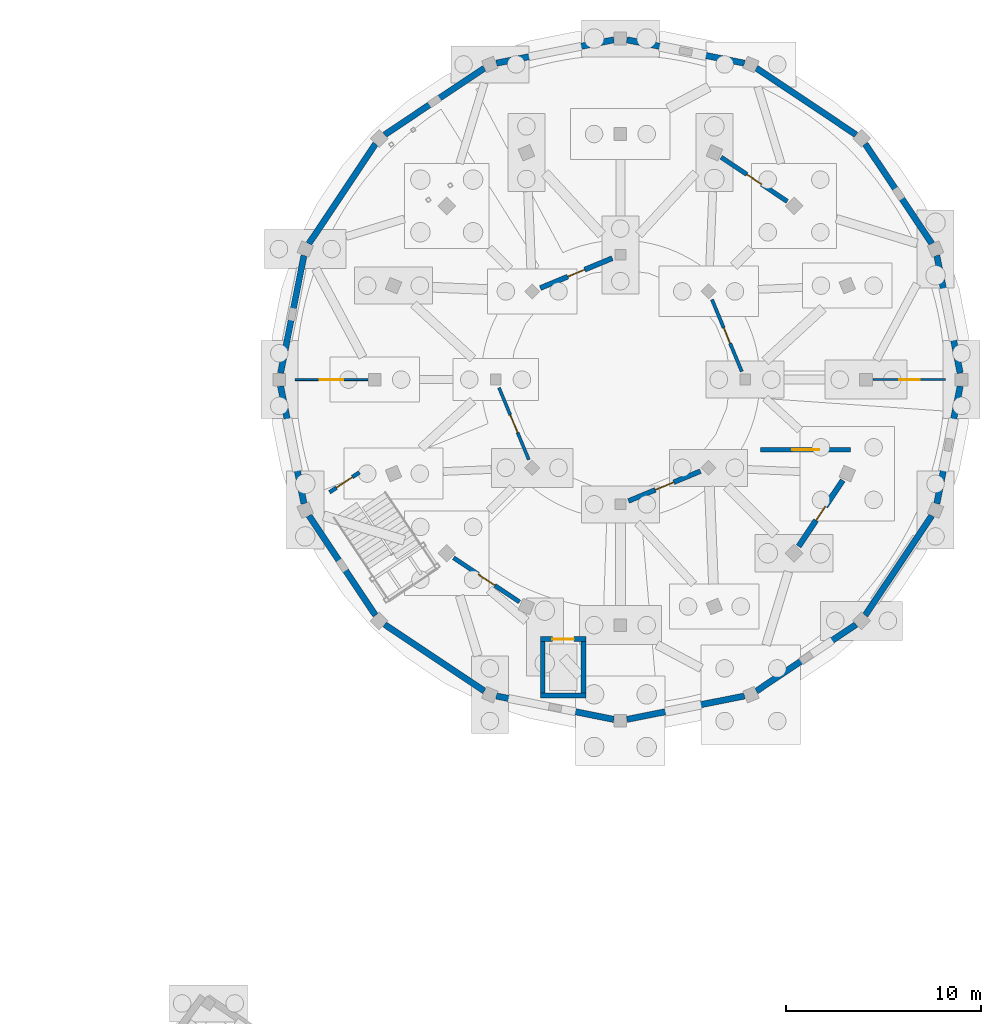
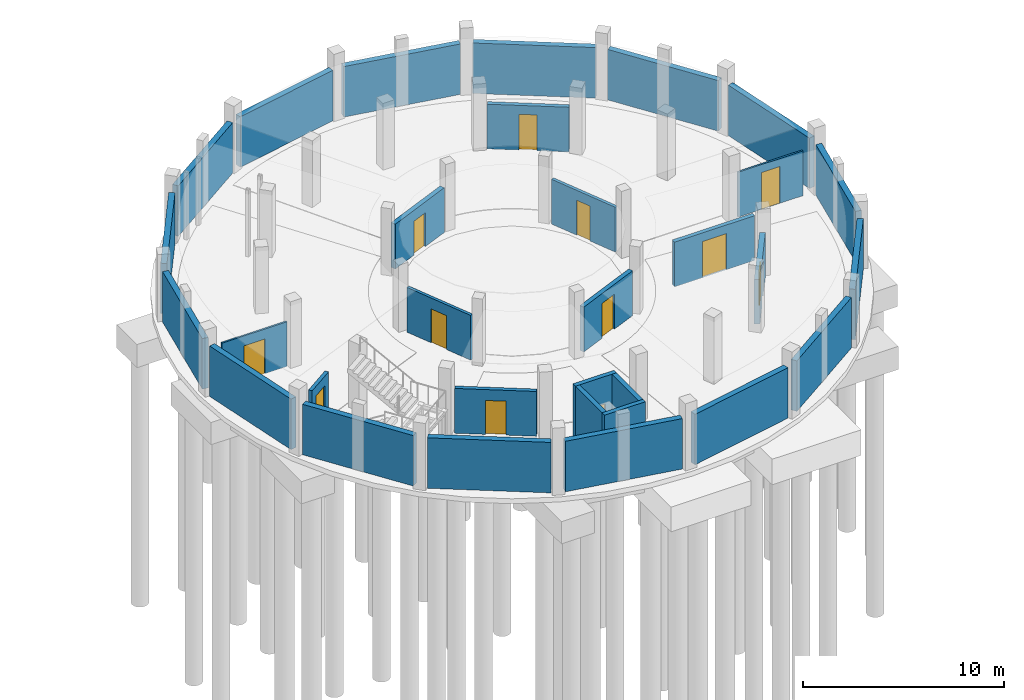
# One storey, part 46 of 58: 31 walls, 12 doors, 12 openings.
"""IFC4 building model written with IfcOpenShell, lengths in metres."""

from ifc_helpers import new_model, si_unit, direction, frame, frame_2d, origin, place, context, subcontext, project, spatial, rectangle, extrude, material, layer, layer_set, type_object, element, fill, save


model = new_model("IFC4")

# Units and contexts
model_context = context("Model", 3, precision=1e-05, world=origin(), true_north=direction((0.0, 1.0)))
body_context = subcontext(model_context, "Body", "Model", "MODEL_VIEW")
ifc_project = project(units=[si_unit("LENGTHUNIT", "METRE"), si_unit("AREAUNIT", "SQUARE_METRE"), si_unit("VOLUMEUNIT", "CUBIC_METRE"), si_unit("PLANEANGLEUNIT", "RADIAN"), si_unit("MASSUNIT", "GRAM", prefix="KILO")], contexts=[model_context])

# Site, building, storey
site_placement = place(None, origin())
site = spatial("IfcSite", under=ifc_project, at=site_placement, CompositionType="ELEMENT")
building_placement = place(site_placement, origin())
building = spatial("IfcBuilding", under=site, at=building_placement, Name="Caldaven Crescent School", CompositionType="ELEMENT")
storey_placement = place(building_placement, frame((0.0, 0.0, -4.080078125)))
storey = spatial("IfcBuildingStorey", under=building, at=storey_placement, Name="B1", CompositionType="ELEMENT", Elevation=-4.080078125)

# Wall, opening, door
ifc_material_1 = material(Name="Concrete C35/45", Category="concrete")
ifc_layer_1 = layer(ifc_material_1, 0.300048828125)
ifc_layer_set_1 = layer_set([ifc_layer_1], Name="Concrete C35/45")
wall_type_1 = type_object("IfcWallType", Name="WAL-CW1", PredefinedType="SHEAR", material=ifc_layer_set_1)
wall_1_placement = place(storey_placement, frame((148.388916015625, 85.189208984375, 0.0), z_axis=(0.0, 0.0, 1.0), x_axis=(1.0, 0.0, 0.0)))
wall_1 = element("IfcWall", 1, at=wall_1_placement, inside=storey, type_object=wall_type_1, Name="CW-LF1-B1-N", PredefinedType="SHEAR", context=body_context, shape_type="SweptSolid", body=[
    extrude(rectangle(XDim=2.349853515625, YDim=0.25, at=frame_2d((1.1748046875, 0.0))), origin(), (0.0, 0.0, 1.0), 3.820068359375),
])
opening_1_placement = place(wall_1_placement, frame((0.625, 0.0, 0.0)))
opening_1 = element("IfcOpeningElement", 2, at=opening_1_placement, cuts=wall_1, Name="Opening LD-LF1-B1", PredefinedType="OPENING", context=body_context, shape_type="SweptSolid", body=[
    extrude(rectangle(XDim=1.10009765625, YDim=2.14990234375, at=frame_2d((0.550048828125, 1.074951171875))), frame((0.0, 0.135009765625, 0.0), z_axis=(0.0, -1.0, 0.0), x_axis=(1.0, 0.0, 0.0)), (0.0, 0.0, 1.0), 0.27001953125),
])
ifc_material_2 = material(Name="Brushed stainless-steel automatic telescopic landing door", Category="steel")
door_type_1 = type_object("IfcDoorType", Name="DOR-LD01", OperationType="DOUBLE_DOOR_SLIDING", PredefinedType="DOOR", material=ifc_material_2)
door_1_placement = place(opening_1_placement, origin())
door_1 = element("IfcDoor", 3, at=door_1_placement, inside=storey, type_object=door_type_1, Name="DOR-LD-LF1-B1", OperationType="DOUBLE_DOOR_SLIDING", OverallHeight=2.14990234375, OverallWidth=1.10009765625, PredefinedType="DOOR", context=body_context, shape_type="SweptSolid", body=[
    extrude(rectangle(XDim=1.10009765625, YDim=2.14990234375, at=frame_2d((0.550048828125, 1.074951171875))), frame((0.0, 0.02490234375, 0.0), z_axis=(0.0, -1.0, 0.0), x_axis=(1.0, 0.0, 0.0)), (0.0, 0.0, 1.0), 0.050048828125),
])
fill(opening_1, door_1)

# Walls
wall_2_placement = place(storey_placement, frame((148.388916015625, 82.2890625, 0.0), z_axis=(0.0, 0.0, 1.0), x_axis=(1.0, 0.0, 0.0)))
element("IfcWall", 4, at=wall_2_placement, inside=storey, type_object=wall_type_1, Name="CW-LF1-B1-S", PredefinedType="SHEAR", context=body_context, shape_type="SweptSolid", body=[
    extrude(rectangle(XDim=2.349853515625, YDim=0.25, at=frame_2d((1.1748046875, 0.0))), origin(), (0.0, 0.0, 1.0), 3.820068359375),
])
ifc_layer_2 = layer(ifc_material_1, 0.25)
ifc_layer_set_2 = layer_set([ifc_layer_2], Name="Concrete C35/45")
wall_type_2 = type_object("IfcWallType", Name="WAL-CW2", PredefinedType="SHEAR", material=ifc_layer_set_2)
for number, where, z_axis, x_axis, name in (
    (5, (148.513916015625, 82.4140625, 0.0), (0.0, 0.0, 1.0), (0.0, 1.0, 0.0), "CW-LF1-B1-W"),
    (6, (150.61376953125, 82.4140625, 0.0), (0.0, 0.0, 1.0), (0.0, 1.0, 0.0), "CW-LF1-B1-E"),
):
    element("IfcWall", number, at=place(storey_placement, frame(where, z_axis=z_axis, x_axis=x_axis)), inside=storey, type_object=wall_type_2, Name=name, PredefinedType="SHEAR", context=body_context, shape_type="SweptSolid", body=[
        extrude(rectangle(XDim=2.650146484375, YDim=0.25, at=frame_2d((1.3251953125, 0.0))), origin(), (0.0, 0.0, 1.0), 3.820068359375),
    ])

# Wall, opening, door
ifc_material_3 = material(Name="Acoustic timber-stud and fire-rated gypsum board assembly", Category="wood")
ifc_layer_3 = layer(ifc_material_3, 0.159912109375)
ifc_layer_set_3 = layer_set([ifc_layer_3], Name="Acoustic timber-stud and fire-rated gypsum board assembly")
wall_type_3 = type_object("IfcWallType", Name="WAL-IW01", PredefinedType="STANDARD", material=ifc_layer_set_3)
wall_3_placement = place(storey_placement, frame((146.272216796875, 98.084228515625, 0.0), z_axis=(0.0, 0.0, 1.0), x_axis=(0.382680763867, -0.923880637835, 0.0)))
wall_3 = element("IfcWall", 7, at=wall_3_placement, inside=storey, type_object=wall_type_3, Name="IW-B1-0016", PredefinedType="STANDARD", context=body_context, shape_type="SweptSolid", body=[
    extrude(rectangle(XDim=3.998291015625, YDim=0.159912109375, at=frame_2d((1.9990234375, 0.0))), origin(), (0.0, 0.0, 1.0), 2.719970703125),
])
opening_2_placement = place(wall_3_placement, frame((1.50927734375, 0.0, 0.0)))
opening_2 = element("IfcOpeningElement", 8, at=opening_2_placement, cuts=wall_3, Name="Opening D-B1-I012", PredefinedType="OPENING", context=body_context, shape_type="SweptSolid", body=[
    extrude(rectangle(XDim=0.97998046875, YDim=2.06005859375, at=frame_2d((0.489990234375, 1.030029296875))), frame((0.0, 0.08984375, 0.0), z_axis=(0.0, -1.0, 0.0), x_axis=(1.0, 0.0, 0.0)), (0.0, 0.0, 1.0), 0.179931640625),
])
ifc_material_4 = material(Name="Solid-core Pino Radiata acoustic timber leaf in steel frame", Category="steel")
door_type_2 = type_object("IfcDoorType", Name="DOR-ID13", OperationType="NOTDEFINED", PredefinedType="DOOR", material=ifc_material_4)
door_2_placement = place(opening_2_placement, frame((0.97998046875, 0.0, 0.0), z_axis=(0.0, 0.0, 1.0), x_axis=(-1.0, 0.0, 0.0)))
door_2 = element("IfcDoor", 9, at=door_2_placement, inside=storey, type_object=door_type_2, Name="DOR-INT-B1-0012", OperationType="SINGLE_SWING_LEFT", OverallHeight=2.06005859375, OverallWidth=0.97998046875, PredefinedType="DOOR", context=body_context, shape_type="SweptSolid", body=[
    extrude(rectangle(XDim=0.97998046875, YDim=2.06005859375, at=frame_2d((0.489990234375, 1.030029296875))), frame((0.0, 0.02490234375, 0.0), z_axis=(0.0, -1.0, 0.0), x_axis=(1.0, 0.0, 0.0)), (0.0, 0.0, 1.0), 0.050048828125),
])
fill(opening_2, door_2)

ifc_layer_4 = layer(ifc_material_3, 0.169921875)
ifc_layer_set_4 = layer_set([ifc_layer_4], Name="Acoustic timber-stud and fire-rated gypsum board assembly")
wall_type_4 = type_object("IfcWallType", Name="WAL-IW02", PredefinedType="STANDARD", material=ifc_layer_set_4)
wall_4_placement = place(storey_placement, frame((158.727783203125, 98.915771484375, 0.0), z_axis=(0.0, 0.0, 1.0), x_axis=(-0.382680763867, 0.923880637835, 0.0)))
wall_4 = element("IfcWall", 10, at=wall_4_placement, inside=storey, type_object=wall_type_4, Name="IW-B1-0001", PredefinedType="STANDARD", context=body_context, shape_type="SweptSolid", body=[
    extrude(rectangle(XDim=3.998291015625, YDim=0.169921875, at=frame_2d((1.9990234375, 0.0))), origin(), (0.0, 0.0, 1.0), 2.719970703125),
])
opening_3_placement = place(wall_4_placement, frame((1.569091796875, 0.0, 0.0)))
opening_3 = element("IfcOpeningElement", 11, at=opening_3_placement, cuts=wall_4, Name="Opening D-B1-I001", PredefinedType="OPENING", context=body_context, shape_type="SweptSolid", body=[
    extrude(rectangle(XDim=0.860107421875, YDim=2.1201171875, at=frame_2d((0.43017578125, 1.06005859375))), frame((0.0, 0.094970703125, 0.0), z_axis=(0.0, -1.0, 0.0), x_axis=(1.0, 0.0, 0.0)), (0.0, 0.0, 1.0), 0.18994140625),
])
door_type_3 = type_object("IfcDoorType", Name="DOR-ID02", OperationType="NOTDEFINED", PredefinedType="DOOR", material=ifc_material_4)
door_3_placement = place(opening_3_placement, frame((0.860107421875, 0.0, 0.0), z_axis=(0.0, 0.0, 1.0), x_axis=(-1.0, 0.0, 0.0)))
door_3 = element("IfcDoor", 12, at=door_3_placement, inside=storey, type_object=door_type_3, Name="DOR-INT-B1-0001", OperationType="SINGLE_SWING_RIGHT", OverallHeight=2.1201171875, OverallWidth=0.860107421875, PredefinedType="DOOR", context=body_context, shape_type="SweptSolid", body=[
    extrude(rectangle(XDim=0.860107421875, YDim=2.1201171875, at=frame_2d((0.43017578125, 1.06005859375))), frame((0.0, 0.02490234375, 0.0), z_axis=(0.0, -1.0, 0.0), x_axis=(1.0, 0.0, 0.0)), (0.0, 0.0, 1.0), 0.050048828125),
])
fill(opening_3, door_3)

ifc_layer_5 = layer(ifc_material_3, 0.199951171875)
ifc_layer_set_5 = layer_set([ifc_layer_5], Name="Acoustic timber-stud and fire-rated gypsum board assembly")
wall_type_5 = type_object("IfcWallType", Name="WAL-IW05", PredefinedType="STANDARD", material=ifc_layer_set_5)
wall_5_placement = place(storey_placement, frame((137.5791015625, 92.715576171875, 0.0), z_axis=(0.0, 0.0, 1.0), x_axis=(0.831457803064, 0.555587906388, 0.0)))
wall_5 = element("IfcWall", 13, at=wall_5_placement, inside=storey, type_object=wall_type_5, Name="IW-ST-STB5-B1", PredefinedType="STANDARD", context=body_context, shape_type="SweptSolid", body=[
    extrude(rectangle(XDim=1.83984375, YDim=0.199951171875, at=frame_2d((0.919921875, 0.0))), origin(), (0.0, 0.0, 1.0), 2.719970703125),
])
opening_4_placement = place(wall_5_placement, frame((0.429931640625, 0.0, 0.0)))
opening_4 = element("IfcOpeningElement", 14, at=opening_4_placement, cuts=wall_5, Name="Opening FD-STB5-B1", PredefinedType="OPENING", context=body_context, shape_type="SweptSolid", body=[
    extrude(rectangle(XDim=0.97998046875, YDim=2.139892578125, at=frame_2d((0.489990234375, 1.06982421875))), frame((0.0, 0.10986328125, 0.0), z_axis=(0.0, -1.0, 0.0), x_axis=(1.0, 0.0, 0.0)), (0.0, 0.0, 1.0), 0.219970703125),
])
ifc_material_5 = material(Name="Acoustic fire-rated steel-framed hardwood leaf", Category="steel")
door_type_4 = type_object("IfcDoorType", Name="DOR-FD02", OperationType="NOTDEFINED", PredefinedType="DOOR", material=ifc_material_5)
door_4_placement = place(opening_4_placement, frame((0.97998046875, 0.0, 0.0), z_axis=(0.0, 0.0, 1.0), x_axis=(-1.0, 0.0, 0.0)))
door_4 = element("IfcDoor", 15, at=door_4_placement, inside=storey, type_object=door_type_4, Name="DOR-ST-STB5-B1", OperationType="SINGLE_SWING_RIGHT", OverallHeight=2.139892578125, OverallWidth=0.97998046875, PredefinedType="DOOR", context=body_context, shape_type="SweptSolid", body=[
    extrude(rectangle(XDim=0.97998046875, YDim=2.139892578125, at=frame_2d((0.489990234375, 1.06982421875))), frame((0.0, 0.02490234375, 0.0), z_axis=(0.0, -1.0, 0.0), x_axis=(1.0, 0.0, 0.0)), (0.0, 0.0, 1.0), 0.050048828125),
])
fill(opening_4, door_4)

ifc_layer_6 = layer(ifc_material_3, 0.219970703125)
ifc_layer_set_6 = layer_set([ifc_layer_6], Name="Acoustic timber-stud and fire-rated gypsum board assembly")
wall_type_6 = type_object("IfcWallType", Name="WAL-IW07", PredefinedType="STANDARD", material=ifc_layer_set_6)
wall_6_placement = place(storey_placement, frame((143.939697265625, 89.357177734375, 0.0), z_axis=(0.0, 0.0, 1.0), x_axis=(0.831460090349, -0.555584483365, 0.0)))
wall_6 = element("IfcWall", 16, at=wall_6_placement, inside=storey, type_object=wall_type_6, Name="IW-B1-0022", PredefinedType="STANDARD", context=body_context, shape_type="SweptSolid", body=[
    extrude(rectangle(XDim=4.076171875, YDim=0.219970703125, at=frame_2d((2.0380859375, 0.0))), origin(), (0.0, 0.0, 1.0), 2.719970703125),
])
opening_5_placement = place(wall_6_placement, frame((1.528076171875, 0.0, 0.0)))
opening_5 = element("IfcOpeningElement", 17, at=opening_5_placement, cuts=wall_6, Name="Opening D-B1-I016", PredefinedType="OPENING", context=body_context, shape_type="SweptSolid", body=[
    extrude(rectangle(XDim=1.02001953125, YDim=2.06005859375, at=frame_2d((0.510009765625, 1.030029296875))), frame((0.0, 0.119873046875, 0.0), z_axis=(0.0, -1.0, 0.0), x_axis=(1.0, 0.0, 0.0)), (0.0, 0.0, 1.0), 0.239990234375),
])
door_type_5 = type_object("IfcDoorType", Name="DOR-ID17", OperationType="NOTDEFINED", PredefinedType="DOOR", material=ifc_material_4)
door_5_placement = place(opening_5_placement, frame((1.02001953125, 0.0, 0.0), z_axis=(0.0, 0.0, 1.0), x_axis=(-1.0, 0.0, 0.0)))
door_5 = element("IfcDoor", 18, at=door_5_placement, inside=storey, type_object=door_type_5, Name="DOR-INT-B1-0016", OperationType="SINGLE_SWING_LEFT", OverallHeight=2.06005859375, OverallWidth=1.02001953125, PredefinedType="DOOR", context=body_context, shape_type="SweptSolid", body=[
    extrude(rectangle(XDim=1.02001953125, YDim=2.06005859375, at=frame_2d((0.510009765625, 1.030029296875))), frame((0.0, 0.02490234375, 0.0), z_axis=(0.0, -1.0, 0.0), x_axis=(1.0, 0.0, 0.0)), (0.0, 0.0, 1.0), 0.050048828125),
])
fill(opening_5, door_5)

ifc_layer_7 = layer(ifc_material_3, 0.22998046875)
ifc_layer_set_7 = layer_set([ifc_layer_7], Name="Acoustic timber-stud and fire-rated gypsum board assembly")
wall_type_7 = type_object("IfcWallType", Name="WAL-IW08", PredefinedType="STANDARD", material=ifc_layer_set_7)
wall_7_placement = place(storey_placement, frame((161.060302734375, 107.642822265625, 0.0), z_axis=(0.0, 0.0, 1.0), x_axis=(-0.831460090349, 0.555584483365, 0.0)))
wall_7 = element("IfcWall", 19, at=wall_7_placement, inside=storey, type_object=wall_type_7, Name="IW-B1-0007", PredefinedType="STANDARD", context=body_context, shape_type="SweptSolid", body=[
    extrude(rectangle(XDim=4.076171875, YDim=0.22998046875, at=frame_2d((2.0380859375, 0.0))), origin(), (0.0, 0.0, 1.0), 2.719970703125),
])
opening_6_placement = place(wall_7_placement, frame((1.588134765625, 0.0, 0.0)))
opening_6 = element("IfcOpeningElement", 20, at=opening_6_placement, cuts=wall_7, Name="Opening D-B1-I006", PredefinedType="OPENING", context=body_context, shape_type="SweptSolid", body=[
    extrude(rectangle(XDim=0.89990234375, YDim=2.179931640625, at=frame_2d((0.449951171875, 1.08984375))), frame((0.0, 0.125, 0.0), z_axis=(0.0, -1.0, 0.0), x_axis=(1.0, 0.0, 0.0)), (0.0, 0.0, 1.0), 0.25),
])
door_type_6 = type_object("IfcDoorType", Name="DOR-ID07", OperationType="NOTDEFINED", PredefinedType="DOOR", material=ifc_material_4)
door_6_placement = place(opening_6_placement, frame((0.89990234375, 0.0, 0.0), z_axis=(0.0, 0.0, 1.0), x_axis=(-1.0, 0.0, 0.0)))
door_6 = element("IfcDoor", 21, at=door_6_placement, inside=storey, type_object=door_type_6, Name="DOR-INT-B1-0006", OperationType="SINGLE_SWING_LEFT", OverallHeight=2.179931640625, OverallWidth=0.89990234375, PredefinedType="DOOR", context=body_context, shape_type="SweptSolid", body=[
    extrude(rectangle(XDim=0.89990234375, YDim=2.179931640625, at=frame_2d((0.449951171875, 1.08984375))), frame((0.0, 0.02490234375, 0.0), z_axis=(0.0, -1.0, 0.0), x_axis=(1.0, 0.0, 0.0)), (0.0, 0.0, 1.0), 0.050048828125),
])
fill(opening_6, door_6)

wall_8_placement = place(storey_placement, frame((159.699951171875, 94.89990234375, 0.0), z_axis=(0.0, 0.0, 1.0), x_axis=(1.0, 0.0, 0.0)))
wall_8 = element("IfcWall", 22, at=wall_8_placement, inside=storey, type_object=wall_type_7, Name="IW-FD-08", PredefinedType="STANDARD", context=body_context, shape_type="SweptSolid", body=[
    extrude(rectangle(XDim=4.60009765625, YDim=0.22998046875, at=frame_2d((2.300048828125, 0.0))), origin(), (0.0, 0.0, 1.0), 2.719970703125),
])
opening_7_placement = place(wall_8_placement, frame((1.610107421875, 0.0, 0.0)))
opening_7 = element("IfcOpeningElement", 23, at=opening_7_placement, cuts=wall_8, Name="Opening FD-X08", PredefinedType="OPENING", context=body_context, shape_type="SweptSolid", body=[
    extrude(rectangle(XDim=1.3798828125, YDim=2.199951171875, at=frame_2d((0.68994140625, 1.10009765625))), frame((0.0, 0.125, 0.0), z_axis=(0.0, -1.0, 0.0), x_axis=(1.0, 0.0, 0.0)), (0.0, 0.0, 1.0), 0.25),
])
door_type_7 = type_object("IfcDoorType", Name="DOR-FD08", OperationType="NOTDEFINED", PredefinedType="DOOR", material=ifc_material_5)
door_7_placement = place(opening_7_placement, origin())
door_7 = element("IfcDoor", 24, at=door_7_placement, inside=storey, type_object=door_type_7, Name="DOR-FD-EXTRA-08", OperationType="DOUBLE_DOOR_SINGLE_SWING", OverallHeight=2.199951171875, OverallWidth=1.3798828125, PredefinedType="DOOR", context=body_context, shape_type="SweptSolid", body=[
    extrude(rectangle(XDim=1.3798828125, YDim=2.199951171875, at=frame_2d((0.68994140625, 1.10009765625))), frame((0.0, 0.02490234375, 0.0), z_axis=(0.0, -1.0, 0.0), x_axis=(1.0, 0.0, 0.0)), (0.0, 0.0, 1.0), 0.050048828125),
])
fill(opening_7, door_7)

ifc_layer_8 = layer(ifc_material_3, 0.25)
ifc_layer_set_8 = layer_set([ifc_layer_8], Name="Acoustic timber-stud and fire-rated gypsum board assembly")
wall_type_8 = type_object("IfcWallType", Name="WAL-IW10", PredefinedType="STANDARD", material=ifc_layer_set_8)
wall_9_placement = place(storey_placement, frame((152.915771484375, 92.272216796875, 0.0), z_axis=(0.0, 0.0, 1.0), x_axis=(0.923880637835, 0.382680763867, 0.0)))
wall_9 = element("IfcWall", 25, at=wall_9_placement, inside=storey, type_object=wall_type_8, Name="IW-B1-0025", PredefinedType="STANDARD", context=body_context, shape_type="SweptSolid", body=[
    extrude(rectangle(XDim=3.998291015625, YDim=0.25, at=frame_2d((1.9990234375, 0.0))), origin(), (0.0, 0.0, 1.0), 2.719970703125),
])
opening_8_placement = place(wall_9_placement, frame((1.4892578125, 0.0, 0.0)))
opening_8 = element("IfcOpeningElement", 26, at=opening_8_placement, cuts=wall_9, Name="Opening D-B1-I017", PredefinedType="OPENING", context=body_context, shape_type="SweptSolid", body=[
    extrude(rectangle(XDim=1.02001953125, YDim=2.1201171875, at=frame_2d((0.510009765625, 1.06005859375))), frame((0.0, 0.135009765625, 0.0), z_axis=(0.0, -1.0, 0.0), x_axis=(1.0, 0.0, 0.0)), (0.0, 0.0, 1.0), 0.27001953125),
])
door_type_8 = type_object("IfcDoorType", Name="DOR-ID18", OperationType="NOTDEFINED", PredefinedType="DOOR", material=ifc_material_4)
door_8_placement = place(opening_8_placement, frame((1.02001953125, 0.0, 0.0), z_axis=(0.0, 0.0, 1.0), x_axis=(-1.0, 0.0, 0.0)))
door_8 = element("IfcDoor", 27, at=door_8_placement, inside=storey, type_object=door_type_8, Name="DOR-INT-B1-0017", OperationType="SINGLE_SWING_RIGHT", OverallHeight=2.1201171875, OverallWidth=1.02001953125, PredefinedType="DOOR", context=body_context, shape_type="SweptSolid", body=[
    extrude(rectangle(XDim=1.02001953125, YDim=2.1201171875, at=frame_2d((0.510009765625, 1.06005859375))), frame((0.0, 0.02490234375, 0.0), z_axis=(0.0, -1.0, 0.0), x_axis=(1.0, 0.0, 0.0)), (0.0, 0.0, 1.0), 0.050048828125),
])
fill(opening_8, door_8)

ifc_layer_9 = layer(ifc_material_3, 0.260009765625)
ifc_layer_set_9 = layer_set([ifc_layer_9], Name="Acoustic timber-stud and fire-rated gypsum board assembly")
wall_type_9 = type_object("IfcWallType", Name="WAL-IW11", PredefinedType="STANDARD", material=ifc_layer_set_9)
wall_10_placement = place(storey_placement, frame((152.084228515625, 104.727783203125, 0.0), z_axis=(0.0, 0.0, 1.0), x_axis=(-0.923880637835, -0.382680763867, 0.0)))
wall_10 = element("IfcWall", 28, at=wall_10_placement, inside=storey, type_object=wall_type_9, Name="IW-B1-0010", PredefinedType="STANDARD", context=body_context, shape_type="SweptSolid", body=[
    extrude(rectangle(XDim=3.998291015625, YDim=0.260009765625, at=frame_2d((1.9990234375, 0.0))), origin(), (0.0, 0.0, 1.0), 2.719970703125),
])
opening_9_placement = place(wall_10_placement, frame((1.529296875, 0.0, 0.0)))
opening_9 = element("IfcOpeningElement", 29, at=opening_9_placement, cuts=wall_10, Name="Opening D-B1-I008", PredefinedType="OPENING", context=body_context, shape_type="SweptSolid", body=[
    extrude(rectangle(XDim=0.93994140625, YDim=2.06005859375, at=frame_2d((0.469970703125, 1.030029296875))), frame((0.0, 0.139892578125, 0.0), z_axis=(0.0, -1.0, 0.0), x_axis=(1.0, 0.0, 0.0)), (0.0, 0.0, 1.0), 0.280029296875),
])
door_type_9 = type_object("IfcDoorType", Name="DOR-ID09", OperationType="NOTDEFINED", PredefinedType="DOOR", material=ifc_material_4)
door_9_placement = place(opening_9_placement, frame((0.93994140625, 0.0, 0.0), z_axis=(0.0, 0.0, 1.0), x_axis=(-1.0, 0.0, 0.0)))
door_9 = element("IfcDoor", 30, at=door_9_placement, inside=storey, type_object=door_type_9, Name="DOR-INT-B1-0008", OperationType="SINGLE_SWING_LEFT", OverallHeight=2.06005859375, OverallWidth=0.93994140625, PredefinedType="DOOR", context=body_context, shape_type="SweptSolid", body=[
    extrude(rectangle(XDim=0.93994140625, YDim=2.06005859375, at=frame_2d((0.469970703125, 1.030029296875))), frame((0.0, 0.02490234375, 0.0), z_axis=(0.0, -1.0, 0.0), x_axis=(1.0, 0.0, 0.0)), (0.0, 0.0, 1.0), 0.050048828125),
])
fill(opening_9, door_9)

ifc_material_6 = material(Name="Autoclaved aerated concrete block masonry G5", Category="masonry")
ifc_layer_10 = layer(ifc_material_6, 0.2900390625)
ifc_layer_set_10 = layer_set([ifc_layer_10], Name="Autoclaved aerated concrete block masonry G5")
wall_type_10 = type_object("IfcWallType", Name="WAL-IW14", PredefinedType="STANDARD", material=ifc_layer_set_10)
wall_11_placement = place(storey_placement, frame((161.642822265625, 89.939697265625, 0.0), z_axis=(0.0, 0.0, 1.0), x_axis=(0.555584483365, 0.831460090349, 0.0)))
wall_11 = element("IfcWall", 31, at=wall_11_placement, inside=storey, type_object=wall_type_10, Name="IW-B1-0029", PredefinedType="STANDARD", context=body_context, shape_type="SweptSolid", body=[
    extrude(rectangle(XDim=4.076171875, YDim=0.2900390625, at=frame_2d((2.0380859375, 0.0))), origin(), (0.0, 0.0, 1.0), 2.719970703125),
])
opening_10_placement = place(wall_11_placement, frame((1.608154296875, 0.0, 0.0)))
opening_10 = element("IfcOpeningElement", 32, at=opening_10_placement, cuts=wall_11, Name="Opening D-B1-I020", PredefinedType="OPENING", context=body_context, shape_type="SweptSolid", body=[
    extrude(rectangle(XDim=0.860107421875, YDim=2.06005859375, at=frame_2d((0.43017578125, 1.030029296875))), frame((0.0, 0.155029296875, 0.0), z_axis=(0.0, -1.0, 0.0), x_axis=(1.0, 0.0, 0.0)), (0.0, 0.0, 1.0), 0.31005859375),
])
door_type_10 = type_object("IfcDoorType", Name="DOR-ID01", OperationType="NOTDEFINED", PredefinedType="DOOR", material=ifc_material_4)
door_10_placement = place(opening_10_placement, frame((0.860107421875, 0.0, 0.0), z_axis=(0.0, 0.0, 1.0), x_axis=(-1.0, 0.0, 0.0)))
door_10 = element("IfcDoor", 33, at=door_10_placement, inside=storey, type_object=door_type_10, Name="DOR-INT-B1-0020", OperationType="SINGLE_SWING_LEFT", OverallHeight=2.06005859375, OverallWidth=0.860107421875, PredefinedType="DOOR", context=body_context, shape_type="SweptSolid", body=[
    extrude(rectangle(XDim=0.860107421875, YDim=2.06005859375, at=frame_2d((0.43017578125, 1.030029296875))), frame((0.0, 0.02490234375, 0.0), z_axis=(0.0, -1.0, 0.0), x_axis=(1.0, 0.0, 0.0)), (0.0, 0.0, 1.0), 0.050048828125),
])
fill(opening_10, door_10)

ifc_material_7 = material(Name="Acoustic double-layer gypsum partition on galvanised steel studs", Category="steel")
ifc_layer_11 = layer(ifc_material_7, 0.097900390625)
ifc_layer_set_11 = layer_set([ifc_layer_11], Name="Acoustic double-layer gypsum partition on galvanised steel studs")
wall_type_11 = type_object("IfcWallType", Name="WAL-PT03", PredefinedType="PARTITIONING", material=ifc_layer_set_11)
wall_12_placement = place(storey_placement, frame((139.5400390625, 98.5, 0.0), z_axis=(0.0, 0.0, 1.0), x_axis=(-1.0, 0.0, 0.0)))
wall_12 = element("IfcWall", 34, at=wall_12_placement, inside=storey, type_object=wall_type_11, Name="IW-B1-0018", PredefinedType="PARTITIONING", context=body_context, shape_type="SweptSolid", body=[
    extrude(rectangle(XDim=3.72998046875, YDim=0.097900390625, at=frame_2d((1.864990234375, 0.0))), origin(), (0.0, 0.0, 1.0), 2.719970703125),
])
opening_11_placement = place(wall_12_placement, frame((1.264892578125, 0.0, 0.0)))
opening_11 = element("IfcOpeningElement", 35, at=opening_11_placement, cuts=wall_12, Name="Opening D-B1-I013", PredefinedType="OPENING", context=body_context, shape_type="SweptSolid", body=[
    extrude(rectangle(XDim=1.199951171875, YDim=2.1201171875, at=frame_2d((0.60009765625, 1.06005859375))), frame((0.0, 0.058837890625, 0.0), z_axis=(0.0, -1.0, 0.0), x_axis=(1.0, 0.0, 0.0)), (0.0, 0.0, 1.0), 0.117919921875),
])
door_type_11 = type_object("IfcDoorType", Name="DOR-ID34", OperationType="NOTDEFINED", PredefinedType="DOOR", material=ifc_material_4)
door_11_placement = place(opening_11_placement, frame((1.199951171875, 0.0, 0.0), z_axis=(0.0, 0.0, 1.0), x_axis=(-1.0, 0.0, 0.0)))
door_11 = element("IfcDoor", 36, at=door_11_placement, inside=storey, type_object=door_type_11, Name="DOR-INT-B1-0013", OperationType="SINGLE_SWING_RIGHT", OverallHeight=2.1201171875, OverallWidth=1.199951171875, PredefinedType="DOOR", context=body_context, shape_type="SweptSolid", body=[
    extrude(rectangle(XDim=1.199951171875, YDim=2.1201171875, at=frame_2d((0.60009765625, 1.06005859375))), frame((0.0, 0.02490234375, 0.0), z_axis=(0.0, -1.0, 0.0), x_axis=(1.0, 0.0, 0.0)), (0.0, 0.0, 1.0), 0.050048828125),
])
fill(opening_11, door_11)

ifc_layer_12 = layer(ifc_material_7, 0.10400390625)
ifc_layer_set_12 = layer_set([ifc_layer_12], Name="Acoustic double-layer gypsum partition on galvanised steel studs")
wall_type_12 = type_object("IfcWallType", Name="WAL-PT04", PredefinedType="PARTITIONING", material=ifc_layer_set_12)
wall_13_placement = place(storey_placement, frame((165.4599609375, 98.5, 0.0), z_axis=(0.0, 0.0, 1.0), x_axis=(1.0, 0.0, 0.0)))
wall_13 = element("IfcWall", 37, at=wall_13_placement, inside=storey, type_object=wall_type_12, Name="IW-B1-0003", PredefinedType="PARTITIONING", context=body_context, shape_type="SweptSolid", body=[
    extrude(rectangle(XDim=3.72998046875, YDim=0.10400390625, at=frame_2d((1.864990234375, 0.0))), origin(), (0.0, 0.0, 1.0), 2.719970703125),
])
opening_12_placement = place(wall_13_placement, frame((1.3349609375, 0.0, 0.0)))
opening_12 = element("IfcOpeningElement", 38, at=opening_12_placement, cuts=wall_13, Name="Opening D-B1-I003", PredefinedType="OPENING", context=body_context, shape_type="SweptSolid", body=[
    extrude(rectangle(XDim=1.06005859375, YDim=2.239990234375, at=frame_2d((0.530029296875, 1.1201171875))), frame((0.0, 0.06201171875, 0.0), z_axis=(0.0, -1.0, 0.0), x_axis=(1.0, 0.0, 0.0)), (0.0, 0.0, 1.0), 0.1240234375),
])
door_type_12 = type_object("IfcDoorType", Name="DOR-ID24", OperationType="NOTDEFINED", PredefinedType="DOOR", material=ifc_material_4)
door_12_placement = place(opening_12_placement, frame((1.06005859375, 0.0, 0.0), z_axis=(0.0, 0.0, 1.0), x_axis=(-1.0, 0.0, 0.0)))
door_12 = element("IfcDoor", 39, at=door_12_placement, inside=storey, type_object=door_type_12, Name="DOR-INT-B1-0003", OperationType="SINGLE_SWING_RIGHT", OverallHeight=2.239990234375, OverallWidth=1.06005859375, PredefinedType="DOOR", context=body_context, shape_type="SweptSolid", body=[
    extrude(rectangle(XDim=1.06005859375, YDim=2.239990234375, at=frame_2d((0.530029296875, 1.1201171875))), frame((0.0, 0.02490234375, 0.0), z_axis=(0.0, -1.0, 0.0), x_axis=(1.0, 0.0, 0.0)), (0.0, 0.0, 1.0), 0.050048828125),
])
fill(opening_12, door_12)

# Walls
ifc_material_8 = material(Name="Concrete C30/37", Category="concrete")
ifc_layer_13 = layer(ifc_material_8, 0.320068359375)
ifc_layer_set_13 = layer_set([ifc_layer_13], Name="Concrete C30/37")
wall_type_13 = type_object("IfcWallType", Name="WAL-RW2", PredefinedType="USERDEFINED", material=ifc_layer_set_13)
wall_14_placement = place(storey_placement, frame((169.93359375, 98.83349609375, 0.0), z_axis=(0.0, 0.0, 1.0), x_axis=(-0.195092745233, 0.980784798392, 0.0)))
element("IfcWall", 40, at=wall_14_placement, inside=storey, type_object=wall_type_13, Name="RW-V1-B1-00", ObjectType="RETAININGWALL", PredefinedType="USERDEFINED", context=body_context, shape_type="SweptSolid", body=[
    extrude(rectangle(XDim=6.148193359375, YDim=0.320068359375, at=frame_2d((3.07421875, 0.0))), origin(), (0.0, 0.0, 1.0), 3.065185546875),
])
for number, where, z_axis, x_axis, name in (
    (41, (168.47900390625, 105.479736328125, 0.0), (0.0, 0.0, 1.0), (-0.555588782631, 0.831457217549, 0.0), "RW-V1-B1-01"),
    (42, (164.591552734375, 111.063232421875, 0.0), (0.0, 0.0, 1.0), (-0.831457217549, 0.555588782631, 0.0), "RW-V1-B1-02"),
):
    element("IfcWall", number, at=place(storey_placement, frame(where, z_axis=z_axis, x_axis=x_axis)), inside=storey, type_object=wall_type_13, Name=name, ObjectType="RETAININGWALL", PredefinedType="USERDEFINED", context=body_context, shape_type="SweptSolid", body=[
        extrude(rectangle(XDim=6.14794921875, YDim=0.320068359375, at=frame_2d((3.073974609375, 0.0))), origin(), (0.0, 0.0, 1.0), 3.065185546875),
    ])
for number, where, z_axis, x_axis, name in (
    (43, (158.863525390625, 114.734130859375, 0.0), (0.0, 0.0, 1.0), (-0.980784798392, 0.195092745233, 0.0), "RW-V1-B1-03"),
    (44, (152.16650390625, 115.93359375, 0.0), (0.0, 0.0, 1.0), (-0.980784798392, -0.195092745233, 0.0), "RW-V1-B1-04"),
):
    element("IfcWall", number, at=place(storey_placement, frame(where, z_axis=z_axis, x_axis=x_axis)), inside=storey, type_object=wall_type_13, Name=name, ObjectType="RETAININGWALL", PredefinedType="USERDEFINED", context=body_context, shape_type="SweptSolid", body=[
        extrude(rectangle(XDim=6.148193359375, YDim=0.320068359375, at=frame_2d((3.07421875, 0.0))), origin(), (0.0, 0.0, 1.0), 3.065185546875),
    ])
for number, where, z_axis, x_axis, name in (
    (45, (145.520263671875, 114.47900390625, 0.0), (0.0, 0.0, 1.0), (-0.831457217549, -0.555588782631, 0.0), "RW-V1-B1-05"),
    (46, (139.936767578125, 110.591552734375, 0.0), (0.0, 0.0, 1.0), (-0.555588782631, -0.831457217549, 0.0), "RW-V1-B1-06"),
):
    element("IfcWall", number, at=place(storey_placement, frame(where, z_axis=z_axis, x_axis=x_axis)), inside=storey, type_object=wall_type_13, Name=name, ObjectType="RETAININGWALL", PredefinedType="USERDEFINED", context=body_context, shape_type="SweptSolid", body=[
        extrude(rectangle(XDim=6.14794921875, YDim=0.320068359375, at=frame_2d((3.073974609375, 0.0))), origin(), (0.0, 0.0, 1.0), 3.065185546875),
    ])
for number, where, z_axis, x_axis, name in (
    (47, (136.265869140625, 104.863525390625, 0.0), (0.0, 0.0, 1.0), (-0.195092745233, -0.980784798392, 0.0), "RW-V1-B1-07"),
    (48, (135.06640625, 98.16650390625, 0.0), (0.0, 0.0, 1.0), (0.195092745233, -0.980784798392, 0.0), "RW-V1-B1-08"),
):
    element("IfcWall", number, at=place(storey_placement, frame(where, z_axis=z_axis, x_axis=x_axis)), inside=storey, type_object=wall_type_13, Name=name, ObjectType="RETAININGWALL", PredefinedType="USERDEFINED", context=body_context, shape_type="SweptSolid", body=[
        extrude(rectangle(XDim=6.148193359375, YDim=0.320068359375, at=frame_2d((3.07421875, 0.0))), origin(), (0.0, 0.0, 1.0), 3.065185546875),
    ])
for number, where, z_axis, x_axis, name in (
    (49, (136.52099609375, 91.520263671875, 0.0), (0.0, 0.0, 1.0), (0.555588782631, -0.831457217549, 0.0), "RW-V1-B1-09"),
    (50, (140.408447265625, 85.936767578125, 0.0), (0.0, 0.0, 1.0), (0.831457217549, -0.555588782631, 0.0), "RW-V1-B1-10"),
):
    element("IfcWall", number, at=place(storey_placement, frame(where, z_axis=z_axis, x_axis=x_axis)), inside=storey, type_object=wall_type_13, Name=name, ObjectType="RETAININGWALL", PredefinedType="USERDEFINED", context=body_context, shape_type="SweptSolid", body=[
        extrude(rectangle(XDim=6.14794921875, YDim=0.320068359375, at=frame_2d((3.073974609375, 0.0))), origin(), (0.0, 0.0, 1.0), 3.065185546875),
    ])
for number, where, z_axis, x_axis, name in (
    (51, (146.136474609375, 82.265869140625, 0.0), (0.0, 0.0, 1.0), (0.980784798392, -0.195092745233, 0.0), "RW-V1-B1-11"),
    (52, (152.83349609375, 81.06640625, 0.0), (0.0, 0.0, 1.0), (0.980784798392, 0.195092745233, 0.0), "RW-V1-B1-12"),
):
    element("IfcWall", number, at=place(storey_placement, frame(where, z_axis=z_axis, x_axis=x_axis)), inside=storey, type_object=wall_type_13, Name=name, ObjectType="RETAININGWALL", PredefinedType="USERDEFINED", context=body_context, shape_type="SweptSolid", body=[
        extrude(rectangle(XDim=6.148193359375, YDim=0.320068359375, at=frame_2d((3.07421875, 0.0))), origin(), (0.0, 0.0, 1.0), 3.065185546875),
    ])
for number, where, z_axis, x_axis, name in (
    (53, (159.479736328125, 82.52099609375, 0.0), (0.0, 0.0, 1.0), (0.831457217549, 0.555588782631, 0.0), "RW-V1-B1-13"),
    (54, (165.063232421875, 86.408447265625, 0.0), (0.0, 0.0, 1.0), (0.555588782631, 0.831457217549, 0.0), "RW-V1-B1-14"),
):
    element("IfcWall", number, at=place(storey_placement, frame(where, z_axis=z_axis, x_axis=x_axis)), inside=storey, type_object=wall_type_13, Name=name, ObjectType="RETAININGWALL", PredefinedType="USERDEFINED", context=body_context, shape_type="SweptSolid", body=[
        extrude(rectangle(XDim=6.14794921875, YDim=0.320068359375, at=frame_2d((3.073974609375, 0.0))), origin(), (0.0, 0.0, 1.0), 3.065185546875),
    ])
wall_15_placement = place(storey_placement, frame((168.734130859375, 92.136474609375, 0.0), z_axis=(0.0, 0.0, 1.0), x_axis=(0.195092745233, 0.980784798392, 0.0)))
element("IfcWall", 55, at=wall_15_placement, inside=storey, type_object=wall_type_13, Name="RW-V1-B1-15", ObjectType="RETAININGWALL", PredefinedType="USERDEFINED", context=body_context, shape_type="SweptSolid", body=[
    extrude(rectangle(XDim=6.148193359375, YDim=0.320068359375, at=frame_2d((3.07421875, 0.0))), origin(), (0.0, 0.0, 1.0), 3.065185546875),
])

save(model, "model.ifc")
